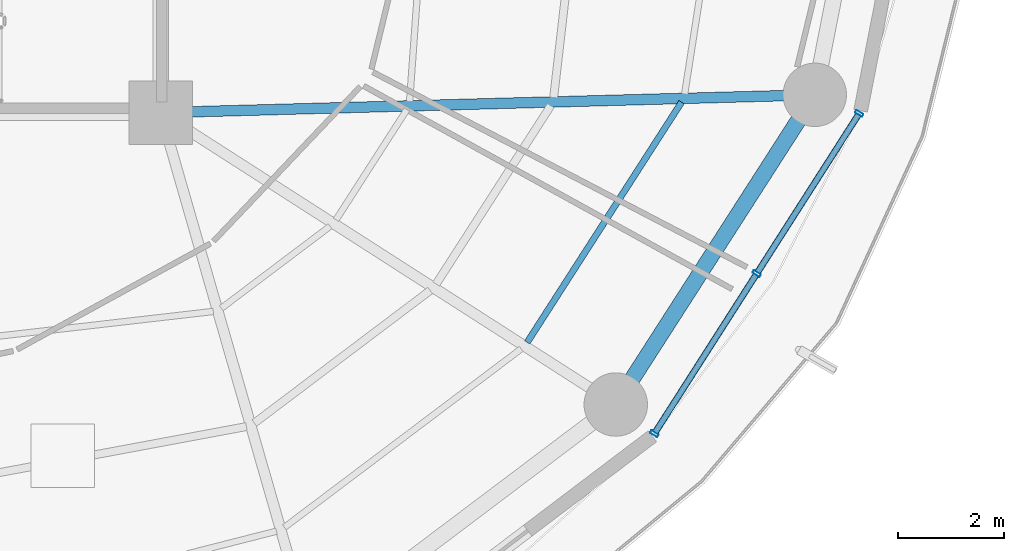
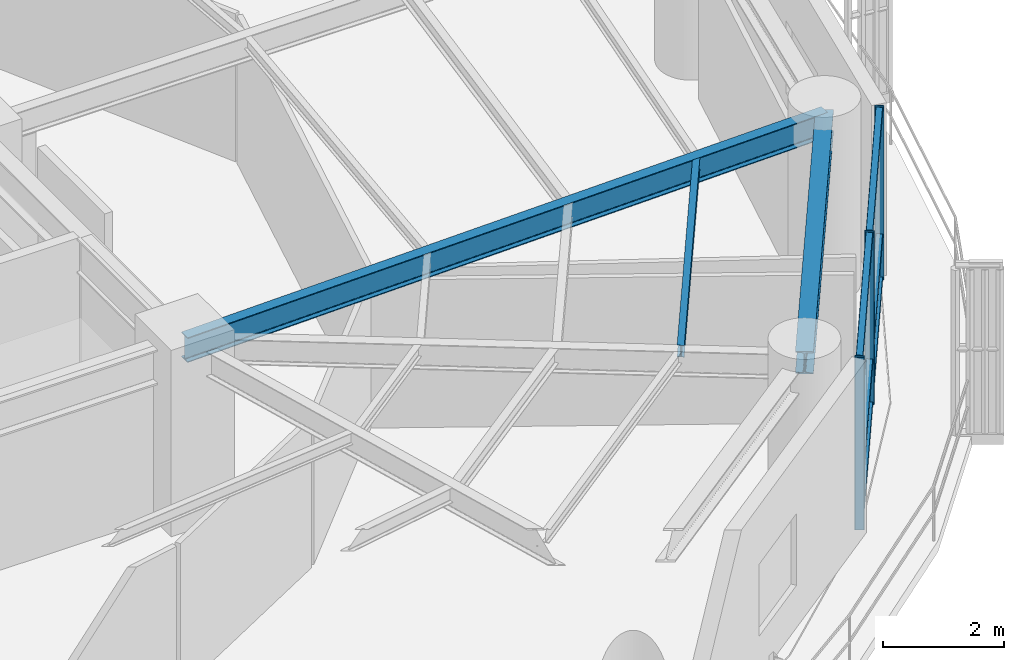
# One storey, part 11 of 28: 9 members, 3 beams, 1 element without a shape of its own.
"""IFC4 building model written with IfcOpenShell, lengths in metres."""

from ifc_helpers import new_model, si_unit, direction, frame, origin, origin_2d, place, context, subcontext, project, spatial, hollow_rectangle, i_section, extrude, material, layer, layer_set, material_profile, profile_set, type_object, element, aggregate, save


model = new_model("IFC4")

# Units and contexts
model_context = context("Model", 3, precision=1e-05, world=origin(), true_north=direction((0.0, 1.0)))
body_context = subcontext(model_context, "Body", "Model", "MODEL_VIEW")
ifc_project = project(units=[si_unit("LENGTHUNIT", "METRE"), si_unit("AREAUNIT", "SQUARE_METRE"), si_unit("VOLUMEUNIT", "CUBIC_METRE"), si_unit("PLANEANGLEUNIT", "RADIAN"), si_unit("MASSUNIT", "GRAM", prefix="KILO")], contexts=[model_context])

# Site, building, storey
site_placement = place(None, origin())
site = spatial("IfcSite", under=ifc_project, at=site_placement, CompositionType="ELEMENT")
building_placement = place(site_placement, origin())
building = spatial("IfcBuilding", under=site, at=building_placement, Name="Kelanora Arch Commons", CompositionType="ELEMENT")
storey_placement = place(building_placement, frame((0.0, 0.0, 139.35009765625)))
storey = spatial("IfcBuildingStorey", under=building, at=storey_placement, Name="L35", CompositionType="ELEMENT", Elevation=139.35009765625)

# Beams
ifc_material_1 = material(Name="Steel S355", Category="steel")
ifc_material_profile_1 = material_profile(ifc_material_1, i_section(OverallWidth=0.1201171875, OverallDepth=0.239990234375, WebThickness=0.006103515625, FlangeThickness=0.009765625, FilletRadius=0.014892578125, at=origin_2d()), Name="IPE240")
ifc_profile_set_1 = profile_set([ifc_material_profile_1], Name="Steel S355")
beam_type_1 = type_object("IfcBeamType", Name="BM-JST-02", PredefinedType="JOIST", material=ifc_profile_set_1)
beam_1_placement = place(storey_placement, frame((88.93212890625, 46.654296875, 3.369873046875), z_axis=(0.540581678156, 0.841291536414, 0.0), x_axis=(-0.841291536414, 0.540581678156, 0.0)))
element("IfcBeam", 1, at=beam_1_placement, inside=storey, type_object=beam_type_1, Name="Secondary Chord Joist BJC-32 L35", PredefinedType="JOIST", context=body_context, shape_type="SweptSolid", body=[
    extrude(i_section(OverallWidth=0.1201171875, OverallDepth=0.239990234375, WebThickness=0.006103515625, FlangeThickness=0.009765625, FilletRadius=0.014892578125, at=origin_2d()), origin(), (0.0, 0.0, 1.0), 5.4013671875),
])
ifc_material_profile_2 = material_profile(ifc_material_1, i_section(OverallWidth=0.199951171875, OverallDepth=0.5, WebThickness=0.01025390625, FlangeThickness=0.01611328125, FilletRadius=0.02099609375, at=origin_2d()), Name="IPE500")
ifc_profile_set_2 = profile_set([ifc_material_profile_2], Name="Steel S355")
beam_type_2 = type_object("IfcBeamType", Name="BM-RAD-Z3", PredefinedType="BEAM", material=ifc_profile_set_2)
beam_2_placement = place(storey_placement, frame((82.0, 51.0, 3.239990234375), z_axis=(0.999628374924, 0.027260081577, 0.0), x_axis=(-0.027260081577, 0.999628374924, 0.0)))
element("IfcBeam", 2, at=beam_2_placement, inside=storey, type_object=beam_type_2, Name="Radial Floor Girder BR-34 L35", PredefinedType="BEAM", context=body_context, shape_type="SweptSolid", body=[
    extrude(i_section(OverallWidth=0.199951171875, OverallDepth=0.5, WebThickness=0.01025390625, FlangeThickness=0.01611328125, FilletRadius=0.02099609375, at=origin_2d()), origin(), (0.0, 0.0, 1.0), 12.377197265625),
])
ifc_material_profile_3 = material_profile(ifc_material_1, i_section(OverallWidth=0.300048828125, OverallDepth=0.449951171875, WebThickness=0.013916015625, FlangeThickness=0.02587890625, FilletRadius=0.027099609375, at=origin_2d()), Name="HEB450")
ifc_profile_set_3 = profile_set([ifc_material_profile_3], Name="Steel S355")
beam_type_3 = type_object("IfcBeamType", Name="BM-SPN-Z3", PredefinedType="SPANDREL", material=ifc_profile_set_3)
beam_3_placement = place(storey_placement, frame((90.60791015625, 45.478515625, 3.264892578125), z_axis=(0.540576852469, 0.841294637196, 0.0), x_axis=(-0.841294637196, 0.540576852469, 0.0)))
element("IfcBeam", 3, at=beam_3_placement, inside=storey, type_object=beam_type_3, Name="Perimeter Spandrel Beam BS-32 L35", PredefinedType="SPANDREL", context=body_context, shape_type="SweptSolid", body=[
    extrude(i_section(OverallWidth=0.300048828125, OverallDepth=0.449951171875, WebThickness=0.013916015625, FlangeThickness=0.02587890625, FilletRadius=0.027099609375, at=origin_2d()), origin(), (0.0, 0.0, 1.0), 6.964111328125),
])

# Curtain wall, members
ifc_material_2 = material(Name="Terracotta ceramic-fritted low-E glass and aluminium", Category="masonry")
ifc_layer = layer(ifc_material_2, 0.175048828125)
ifc_layer_set = layer_set([ifc_layer], Name="Terracotta ceramic-fritted low-E glass and aluminium")
curtain_wall_type = type_object("IfcCurtainWallType", Name="CW-SYS-02", PredefinedType="NOTDEFINED", material=ifc_layer_set)
curtain_wall_placement = place(storey_placement, origin())
curtain_wall = element("IfcCurtainWall", 4, at=curtain_wall_placement, inside=storey, type_object=curtain_wall_type, Name="Unitised Curtain Wall L35-B16", PredefinedType="NOTDEFINED")
ifc_material_3 = material(Name="Powder-coated aluminium terracotta", Category="masonry")
ifc_material_profile_4 = material_profile(ifc_material_3, hollow_rectangle(XDim=0.159912109375, YDim=0.06005859375, WallThickness=0.0048828125, InnerFilletRadius=0.0048828125, OuterFilletRadius=0.010009765625, at=origin_2d()), Name="CWM160x60")
ifc_profile_set_4 = profile_set([ifc_material_profile_4], Name="Powder-coated aluminium terracotta")
member_type_1 = type_object("IfcMemberType", Name="CWM-STD", PredefinedType="MULLION", material=ifc_profile_set_4)
member_1_placement = place(storey_placement, frame((91.3369140625, 44.925048828125, 0.0), z_axis=(0.0, 0.0, 1.0), x_axis=(-0.842422846546, 0.538816988983, 0.0)))
member_1 = element("IfcMember", 5, at=member_1_placement, type_object=member_type_1, Name="CW-02 mullion 1", PredefinedType="MULLION", context=body_context, shape_type="SweptSolid", body=[
    extrude(hollow_rectangle(XDim=0.159912109375, YDim=0.06005859375, WallThickness=0.0048828125, InnerFilletRadius=0.0048828125, OuterFilletRadius=0.010009765625, at=origin_2d()), origin(), (0.0, 0.0, 1.0), 3.474853515625),
])
member_2_placement = place(storey_placement, frame((93.27490234375, 47.954833984375, 0.0), z_axis=(0.0, 0.0, 1.0), x_axis=(-0.842422846546, 0.538816988983, 0.0)))
member_2 = element("IfcMember", 6, at=member_2_placement, type_object=member_type_1, Name="CW-02 mullion 2", PredefinedType="MULLION", context=body_context, shape_type="SweptSolid", body=[
    extrude(hollow_rectangle(XDim=0.159912109375, YDim=0.06005859375, WallThickness=0.0048828125, InnerFilletRadius=0.0048828125, OuterFilletRadius=0.010009765625, at=origin_2d()), origin(), (0.0, 0.0, 1.0), 3.474853515625),
])
member_3_placement = place(storey_placement, frame((95.212890625, 50.98486328125, 0.0), z_axis=(0.0, 0.0, 1.0), x_axis=(-0.842422846546, 0.538816988983, 0.0)))
member_3 = element("IfcMember", 7, at=member_3_placement, type_object=member_type_1, Name="CW-02 mullion 3", PredefinedType="MULLION", context=body_context, shape_type="SweptSolid", body=[
    extrude(hollow_rectangle(XDim=0.159912109375, YDim=0.06005859375, WallThickness=0.0048828125, InnerFilletRadius=0.0048828125, OuterFilletRadius=0.010009765625, at=origin_2d()), origin(), (0.0, 0.0, 1.0), 3.474853515625),
])
ifc_material_profile_5 = material_profile(ifc_material_3, hollow_rectangle(XDim=0.1201171875, YDim=0.06005859375, WallThickness=0.0048828125, InnerFilletRadius=0.0048828125, OuterFilletRadius=0.010009765625, at=origin_2d()), Name="CWT120x60")
ifc_profile_set_5 = profile_set([ifc_material_profile_5], Name="Powder-coated aluminium terracotta")
member_type_2 = type_object("IfcMemberType", Name="CWT-STD", PredefinedType="USERDEFINED", material=ifc_profile_set_5)
member_4_placement = place(storey_placement, frame((91.35302734375, 44.9501953125, 0.02978515625), z_axis=(0.53883037555, 0.842414284295, 0.0), x_axis=(-0.842414284295, 0.53883037555, 0.0)))
member_4 = element("IfcMember", 8, at=member_4_placement, type_object=member_type_2, Name="CW-02 transom 1.1", ObjectType="TRANSOM", PredefinedType="USERDEFINED", context=body_context, shape_type="SweptSolid", body=[
    extrude(hollow_rectangle(XDim=0.1201171875, YDim=0.06005859375, WallThickness=0.0048828125, InnerFilletRadius=0.0048828125, OuterFilletRadius=0.010009765625, at=origin_2d()), origin(), (0.0, 0.0, 1.0), 3.536865234375),
])
member_5_placement = place(storey_placement, frame((91.35302734375, 44.9501953125, 0.89990234375), z_axis=(0.53883037555, 0.842414284295, 0.0), x_axis=(-0.842414284295, 0.53883037555, 0.0)))
member_5 = element("IfcMember", 9, at=member_5_placement, type_object=member_type_2, Name="CW-02 transom 1.2", ObjectType="TRANSOM", PredefinedType="USERDEFINED", context=body_context, shape_type="SweptSolid", body=[
    extrude(hollow_rectangle(XDim=0.1201171875, YDim=0.06005859375, WallThickness=0.0048828125, InnerFilletRadius=0.0048828125, OuterFilletRadius=0.010009765625, at=origin_2d()), origin(), (0.0, 0.0, 1.0), 3.536865234375),
])
member_6_placement = place(storey_placement, frame((91.35302734375, 44.9501953125, 3.44482421875), z_axis=(0.53883037555, 0.842414284295, 0.0), x_axis=(-0.842414284295, 0.53883037555, 0.0)))
member_6 = element("IfcMember", 10, at=member_6_placement, type_object=member_type_2, Name="CW-02 transom 1.3", ObjectType="TRANSOM", PredefinedType="USERDEFINED", context=body_context, shape_type="SweptSolid", body=[
    extrude(hollow_rectangle(XDim=0.1201171875, YDim=0.06005859375, WallThickness=0.0048828125, InnerFilletRadius=0.0048828125, OuterFilletRadius=0.010009765625, at=origin_2d()), origin(), (0.0, 0.0, 1.0), 3.536865234375),
])
member_7_placement = place(storey_placement, frame((93.291015625, 47.980224609375, 0.02978515625), z_axis=(0.53883037555, 0.842414284295, 0.0), x_axis=(-0.842414284295, 0.53883037555, 0.0)))
member_7 = element("IfcMember", 11, at=member_7_placement, type_object=member_type_2, Name="CW-02 transom 2.1", ObjectType="TRANSOM", PredefinedType="USERDEFINED", context=body_context, shape_type="SweptSolid", body=[
    extrude(hollow_rectangle(XDim=0.1201171875, YDim=0.06005859375, WallThickness=0.0048828125, InnerFilletRadius=0.0048828125, OuterFilletRadius=0.010009765625, at=origin_2d()), origin(), (0.0, 0.0, 1.0), 3.536865234375),
])
member_8_placement = place(storey_placement, frame((93.291015625, 47.980224609375, 0.89990234375), z_axis=(0.53883037555, 0.842414284295, 0.0), x_axis=(-0.842414284295, 0.53883037555, 0.0)))
member_8 = element("IfcMember", 12, at=member_8_placement, type_object=member_type_2, Name="CW-02 transom 2.2", ObjectType="TRANSOM", PredefinedType="USERDEFINED", context=body_context, shape_type="SweptSolid", body=[
    extrude(hollow_rectangle(XDim=0.1201171875, YDim=0.06005859375, WallThickness=0.0048828125, InnerFilletRadius=0.0048828125, OuterFilletRadius=0.010009765625, at=origin_2d()), origin(), (0.0, 0.0, 1.0), 3.536865234375),
])
member_9_placement = place(storey_placement, frame((93.291015625, 47.980224609375, 3.44482421875), z_axis=(0.53883037555, 0.842414284295, 0.0), x_axis=(-0.842414284295, 0.53883037555, 0.0)))
member_9 = element("IfcMember", 13, at=member_9_placement, type_object=member_type_2, Name="CW-02 transom 2.3", ObjectType="TRANSOM", PredefinedType="USERDEFINED", context=body_context, shape_type="SweptSolid", body=[
    extrude(hollow_rectangle(XDim=0.1201171875, YDim=0.06005859375, WallThickness=0.0048828125, InnerFilletRadius=0.0048828125, OuterFilletRadius=0.010009765625, at=origin_2d()), origin(), (0.0, 0.0, 1.0), 3.536865234375),
])
aggregate(curtain_wall, [member_1, member_2, member_3, member_4, member_5, member_6, member_7, member_8, member_9])

save(model, "model.ifc")
